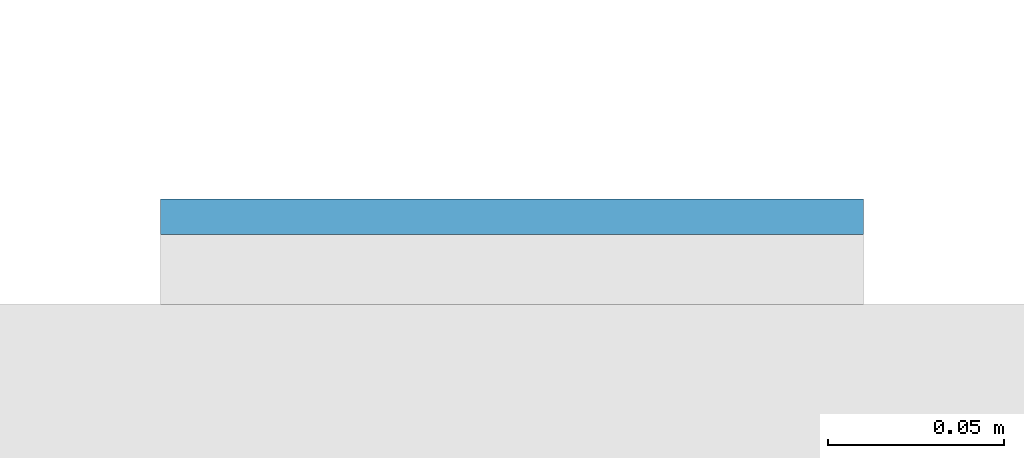
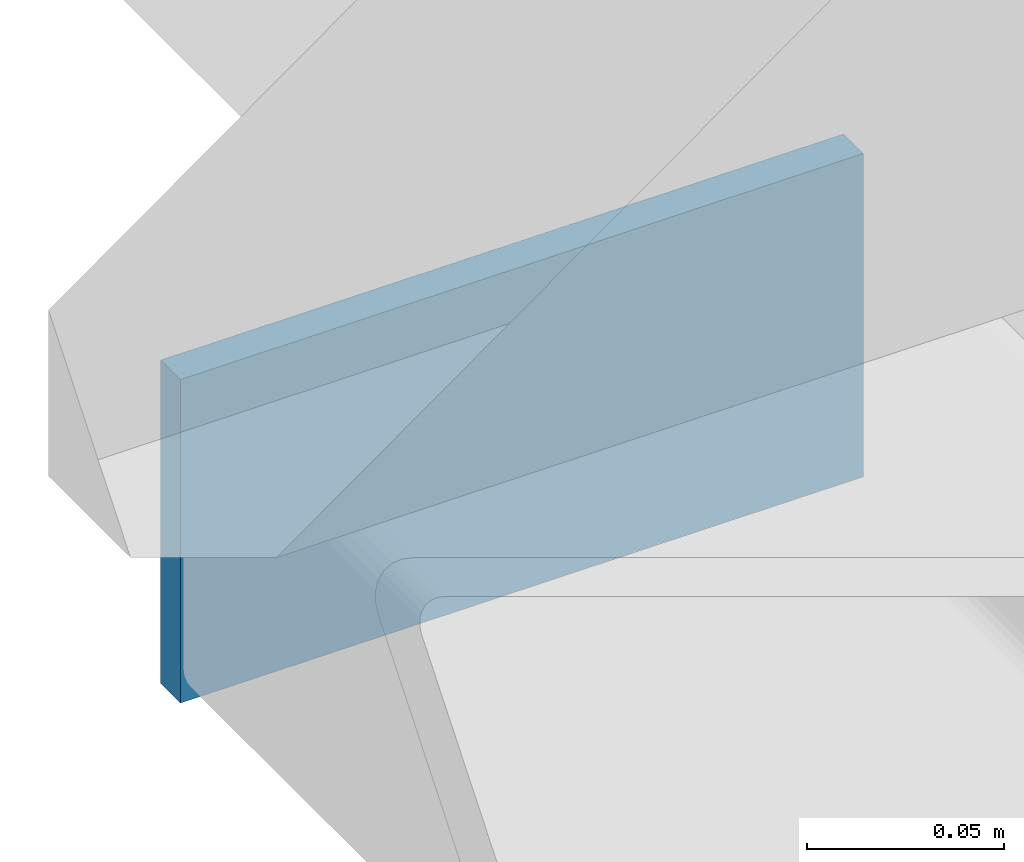
# One storey, part 9 of 20: 1 plate.
"""IFC4 building model written with IfcOpenShell, lengths in metres."""

import ifcopenshell
import ifcopenshell.guid

model = None  # the IFC model being written
_history = None  # IfcOwnerHistory: only IFC2X3 demands one
_inside = {}  # id of a spatial element -> (the spatial element, [elements in it])
_under = {}  # id of a project, library or spatial element -> (it, [spatial elements below it])
_declared = {}  # id of a project -> (the project, [libraries it declares])
_typed = {}  # id of a type object -> (the type object, [elements of that type])
_made_of = {}  # id of a material, layer set ... -> (it, [elements and type objects made of it])


def new_model(schema):
    """Start an empty IFC model of exactly this schema.

    Asked for "IFC4X3", IfcOpenShell would pick the latest addendum, in which some entities
    have other attributes; the version numbers below select the first issue.
    IFC2X3 requires an IfcOwnerHistory on every rooted entity: one is made here for all.
    """
    global model, _history
    if schema == "IFC4X3":
        model = ifcopenshell.file(schema_version=(4, 3, 0, 0))
    else:
        model = ifcopenshell.file(schema=schema)
    _inside.clear()
    _under.clear()
    _declared.clear()
    _typed.clear()
    _made_of.clear()
    _history = None
    if model.schema == "IFC2X3":
        org = make("IfcOrganization", Name="unknown")
        user = make(
            "IfcPersonAndOrganization",
            ThePerson=make("IfcPerson", FamilyName="unknown"),
            TheOrganization=org,
        )
        app = make(
            "IfcApplication",
            ApplicationDeveloper=org,
            Version="unknown",
            ApplicationFullName="unknown",
            ApplicationIdentifier="unknown",
        )
        _history = make(
            "IfcOwnerHistory",
            OwningUser=user,
            OwningApplication=app,
            ChangeAction="ADDED",
            CreationDate=0,
        )
    return model


def make(cls, **values):
    """One entity of the class cls with the attributes given. An attribute that is None is left unset."""
    return model.create_entity(
        cls, **{name: value for name, value in values.items() if value is not None}
    )


def rooted(cls, **values):
    """An entity with a GlobalId (a new one), such as an element, a storey or a relation."""
    return make(cls, GlobalId=ifcopenshell.guid.new(), OwnerHistory=_history, **values)


def si_unit(unit_type, name, prefix=None):
    """IfcSIUnit, for example si_unit("LENGTHUNIT", "METRE", prefix="MILLI")."""
    return make("IfcSIUnit", UnitType=unit_type, Prefix=prefix, Name=name)


def assignment(units):
    """IfcUnitAssignment: the units of a project."""
    return None if units is None else make("IfcUnitAssignment", Units=units)


def point(xyz):
    """IfcCartesianPoint."""
    return None if xyz is None else make("IfcCartesianPoint", Coordinates=xyz)


def direction(xyz):
    """IfcDirection."""
    return None if xyz is None else make("IfcDirection", DirectionRatios=xyz)


def frame(location, z_axis=None, x_axis=None):
    """IfcAxis2Placement3D, a coordinate frame: its origin and axes. An axis left out is left unset."""
    return make(
        "IfcAxis2Placement3D",
        Location=point(location),
        Axis=direction(z_axis),
        RefDirection=direction(x_axis),
    )


def frame_2d(location, x_axis=None):
    """IfcAxis2Placement2D, a coordinate frame in the plane: its origin and x axis."""
    return make(
        "IfcAxis2Placement2D", Location=point(location), RefDirection=direction(x_axis)
    )


def origin():
    """The frame at (0, 0, 0) with its axes left unset."""
    return frame((0.0, 0.0, 0.0))


def origin_2d():
    """The frame at (0, 0) in the plane with its x axis left unset."""
    return frame_2d((0.0, 0.0))


def place(relative_to, where):
    """IfcLocalPlacement: puts the frame where relative to a parent placement (None: the world)."""
    return make(
        "IfcLocalPlacement", PlacementRelTo=relative_to, RelativePlacement=where
    )


def context(
    kind, dimensions, precision=None, world=None, true_north=None, identifier=None
):
    """IfcGeometricRepresentationContext, for example the 3D "Model" context."""
    return make(
        "IfcGeometricRepresentationContext",
        ContextIdentifier=identifier,
        ContextType=kind,
        CoordinateSpaceDimension=dimensions,
        Precision=precision,
        WorldCoordinateSystem=world,
        TrueNorth=true_north,
    )


def subcontext(parent, identifier, kind, view, scale=None):
    """IfcGeometricRepresentationSubContext, for example "Body" below "Model"."""
    return make(
        "IfcGeometricRepresentationSubContext",
        ContextIdentifier=identifier,
        ContextType=kind,
        ParentContext=parent,
        TargetScale=scale,
        TargetView=view,
    )


def project(units=None, contexts=None):
    """IfcProject with its units and contexts."""
    return rooted(
        "IfcProject",
        Name="project",
        RepresentationContexts=contexts,
        UnitsInContext=assignment(units),
    )


def spatial(cls, under=None, at=None, **own):
    """A site, building, storey or space (cls), placed at a placement, below another one or the project."""
    s = rooted(cls, ObjectPlacement=at, **own)
    if under is not None:
        _under.setdefault(under.id(), (under, []))[1].append(s)
    return s


def profile(cls, at=None, kind="AREA", **sizes):
    """A parametric profile (cls). Its sizes go by their IFC names, for example OverallWidth=200.0."""
    return make(cls, ProfileType=kind, Position=at, **sizes)


def rectangle(**sizes):
    """IfcRectangleProfileDef."""
    return profile("IfcRectangleProfileDef", **sizes)


def extrude(swept, where, along, depth):
    """IfcExtrudedAreaSolid: the profile swept, set in the frame where, extruded along a direction by depth."""
    return make(
        "IfcExtrudedAreaSolid",
        SweptArea=swept,
        Position=where,
        ExtrudedDirection=direction(along),
        Depth=depth,
    )


def shape(context_of_items, identifier, shape_type, items):
    """IfcShapeRepresentation: the items that make up one representation, for example the "Body"."""
    return make(
        "IfcShapeRepresentation",
        ContextOfItems=context_of_items,
        RepresentationIdentifier=identifier,
        RepresentationType=shape_type,
        Items=items,
    )


def material(Name=None, Category=None):
    """IfcMaterial."""
    return make("IfcMaterial", Name=Name, Category=Category)


def layer(
    of_material, thickness, ventilated=None, Name=None, Category=None, Priority=None
):
    """IfcMaterialLayer: one layer of a wall or slab, of a material (None: an air gap)."""
    return make(
        "IfcMaterialLayer",
        Material=of_material,
        LayerThickness=thickness,
        IsVentilated=ventilated,
        Name=Name,
        Category=Category,
        Priority=Priority,
    )


def layer_set(layers, Name=None):
    """IfcMaterialLayerSet."""
    return make("IfcMaterialLayerSet", MaterialLayers=layers, LayerSetName=Name)


def made_of(thing, what):
    """Note that an element or type object is made of a material, layer set ...; save() writes the relation."""
    if what is not None:
        _made_of.setdefault(what.id(), (what, []))[1].append(thing)
    return thing


def type_object(cls, material=None, **own):
    """A type object (cls), such as IfcWallType, which elements share."""
    return made_of(rooted(cls, **own), material)


def element(
    cls,
    number,
    at=None,
    inside=None,
    cuts=None,
    type_object=None,
    material=None,
    context=None,
    identifier="Body",
    shape_type=None,
    held_by="IfcProductDefinitionShape",
    body=None,
    shapes=None,
    **own,
):
    """One element of the class cls, such as IfcWall. Its Tag is "e" and its number.

    at: its placement. inside: the storey or other place that contains it. cuts: it is an
    opening in that element (IfcRelVoidsElement). A single representation is given by context,
    identifier, shape_type and body (its items); several are given by shapes. held_by: the class
    of the entity that holds the representations. save() writes the other relations.
    """
    e = rooted(cls, Tag="e%d" % number, ObjectPlacement=at, **own)
    if body is not None:
        shapes = [shape(context, identifier, shape_type, body)]
    if shapes is not None:
        e.Representation = make(held_by, Representations=shapes)
    if inside is not None:
        _inside.setdefault(inside.id(), (inside, []))[1].append(e)
    if cuts is not None:
        rooted(
            "IfcRelVoidsElement", RelatingBuildingElement=cuts, RelatedOpeningElement=e
        )
    if type_object is not None:
        _typed.setdefault(type_object.id(), (type_object, []))[1].append(e)
    return made_of(e, material)


def aggregate(whole, parts):
    """IfcRelAggregates: a whole, such as a stair, and the parts it consists of."""
    return rooted("IfcRelAggregates", RelatingObject=whole, RelatedObjects=parts)


def save(model, path):
    """Write the relations noted so far, then the file.

    IfcRelAggregates (storeys below a building ...), IfcRelContainedInSpatialStructure (elements
    in a storey), IfcRelDefinesByType, IfcRelAssociatesMaterial and IfcRelDeclares: one each for
    every whole, place, type object, material and project.
    """
    for whole, parts in _under.values():
        aggregate(whole, parts)
    for where, things in _inside.values():
        rooted(
            "IfcRelContainedInSpatialStructure",
            RelatedElements=things,
            RelatingStructure=where,
        )
    for kind, things in _typed.values():
        rooted("IfcRelDefinesByType", RelatedObjects=things, RelatingType=kind)
    for what, things in _made_of.values():
        rooted("IfcRelAssociatesMaterial", RelatedObjects=things, RelatingMaterial=what)
    for by, libraries in _declared.values():
        rooted("IfcRelDeclares", RelatingContext=by, RelatedDefinitions=libraries)
    model.write(path)


model = new_model("IFC4")

# Units and contexts
model_context = context("Model", 3, precision=1e-05, world=origin(), true_north=direction((0.0, 1.0)))
body_context = subcontext(model_context, "Body", "Model", "MODEL_VIEW")
ifc_project = project(units=[si_unit("LENGTHUNIT", "METRE"), si_unit("AREAUNIT", "SQUARE_METRE"), si_unit("VOLUMEUNIT", "CUBIC_METRE"), si_unit("PLANEANGLEUNIT", "RADIAN"), si_unit("MASSUNIT", "GRAM", prefix="KILO")], contexts=[model_context])

# Site, building, storey
site_placement = place(None, origin())
site = spatial("IfcSite", under=ifc_project, at=site_placement, CompositionType="ELEMENT")
building_placement = place(site_placement, origin())
building = spatial("IfcBuilding", under=site, at=building_placement, Name="Cleftline Residences", CompositionType="ELEMENT")
storey_placement = place(building_placement, frame((0.0, 0.0, 157.39990234375)))
storey = spatial("IfcBuildingStorey", under=building, at=storey_placement, Name="L41", CompositionType="ELEMENT", Elevation=157.39990234375)

# Plate
ifc_material = material(Name="Steel S355, hot-dip galvanised", Category="steel")
ifc_layer = layer(ifc_material, 0.010009765625)
ifc_layer_set = layer_set([ifc_layer], Name="BAGUETTE CARRIER END PLATE 200X100X10")
plate_type = type_object("IfcPlateType", Name="BAGUETTE CARRIER END PLATE 200X100X10", PredefinedType="USERDEFINED", material=ifc_layer_set)
plate_placement = place(storey_placement, frame((-0.85009765625, 44.304931640625, -0.099853515625), z_axis=(0.0, 0.0, 1.0), x_axis=(-1.0, 0.0, 0.0)))
element("IfcPlate", 1, at=plate_placement, inside=storey, type_object=plate_type, Name="Baguette carrier end plate", ObjectType="BAGUETTE CARRIER END PLATE", PredefinedType="USERDEFINED", context=body_context, shape_type="SweptSolid", body=[
    extrude(rectangle(XDim=0.199951171875, YDim=0.010009765625, at=origin_2d()), origin(), (0.0, 0.0, 1.0), 0.10009765625),
])

save(model, "model.ifc")
